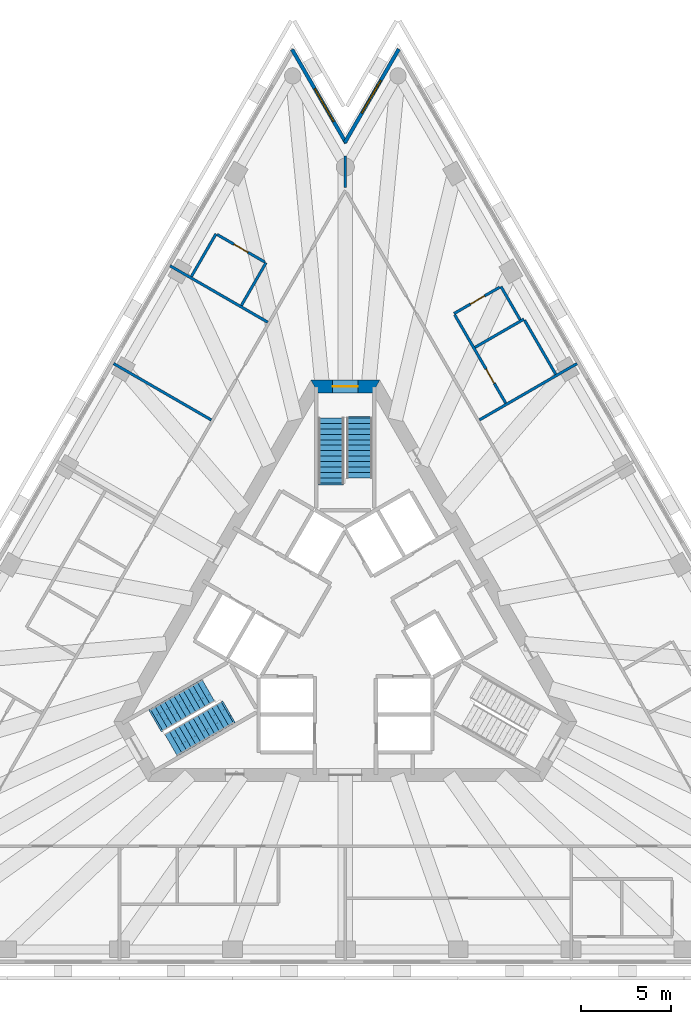
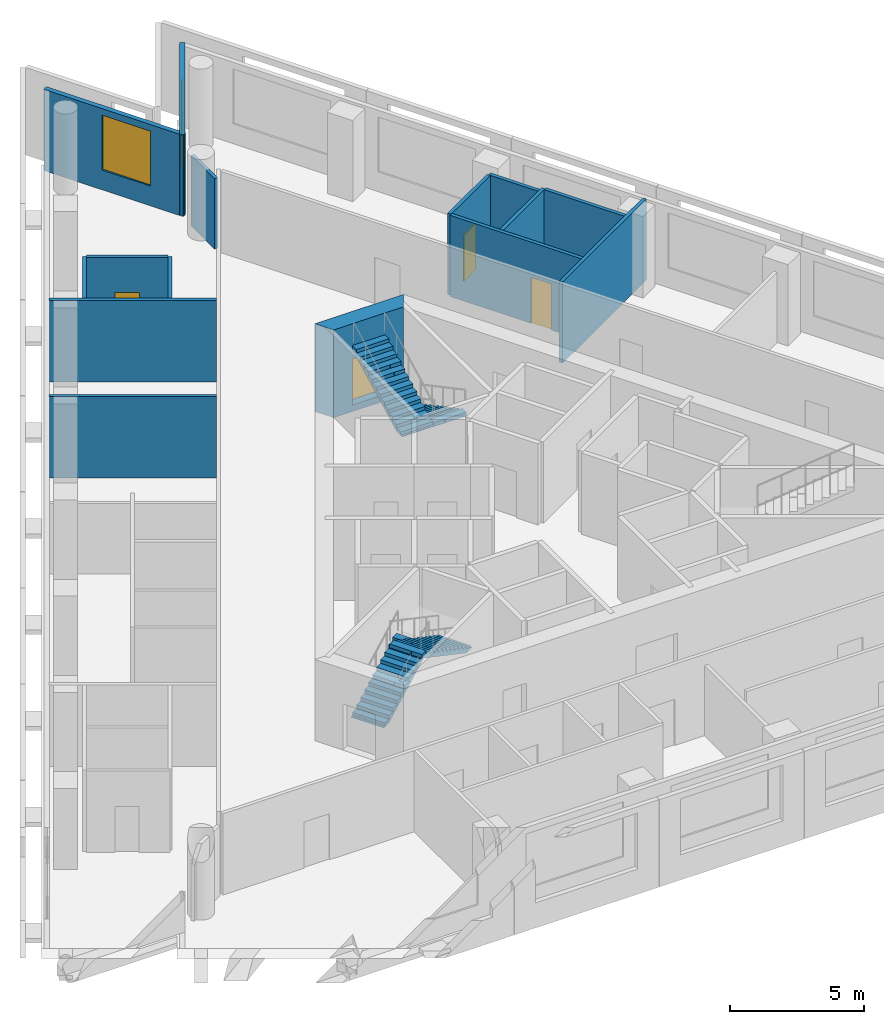
# One storey, part 7 of 10: 15 walls, 4 doors, 4 stair flights, 2 windows, 6 openings, 2 elements without a shape of their own.
"""IFC4 building model written with IfcOpenShell, lengths in metres."""

from ifc_helpers import new_model, si_unit, direction, frame, frame_2d, origin, place, context, subcontext, project, spatial, polyline, rectangle, outline, extrude, material, layer, layer_set, layer_usage, type_object, element, fill, aggregate, save


model = new_model("IFC4")

# Units and contexts
model_context = context("Model", 3, precision=1e-05, world=origin(), true_north=direction((0.0, 1.0)))
body_context = subcontext(model_context, "Body", "Model", "MODEL_VIEW")
ifc_project = project(units=[si_unit("LENGTHUNIT", "METRE"), si_unit("AREAUNIT", "SQUARE_METRE"), si_unit("VOLUMEUNIT", "CUBIC_METRE"), si_unit("PLANEANGLEUNIT", "RADIAN"), si_unit("MASSUNIT", "GRAM", prefix="KILO")], contexts=[model_context])

# Site, building, storey
site_placement = place(None, origin())
site = spatial("IfcSite", under=ifc_project, at=site_placement, CompositionType="ELEMENT")
building_placement = place(site_placement, origin())
building = spatial("IfcBuilding", under=site, at=building_placement, Name="Triada Interchange Tower", CompositionType="ELEMENT")
storey_placement = place(building_placement, frame((0.0, 0.0, 199.300048828125)))
storey = spatial("IfcBuildingStorey", under=building, at=storey_placement, Name="L46", CompositionType="ELEMENT", Elevation=199.300048828125)

# Wall, opening, door
ifc_material_1 = material(Name="Concrete C50/60", Category="concrete")
ifc_layer_1 = layer(ifc_material_1, 0.699951171875)
ifc_layer_set_1 = layer_set([ifc_layer_1], Name="Core wall C 700")
wall_type_1 = type_object("IfcWallType", Name="Core wall C 700", PredefinedType="SHEAR", material=ifc_layer_set_1)
wall_1_placement = place(storey_placement, frame((1.702880859375, 13.35009765625, -0.300048828125), z_axis=(0.0, 0.0, 1.0), x_axis=(-1.0, 0.0, 0.0)))
wall_1 = element("IfcWall", 1, at=wall_1_placement, inside=storey, type_object=wall_type_1, Name="Core wall WC01 L46", PredefinedType="SHEAR", context=body_context, shape_type="SweptSolid", body=[
    extrude(outline(polyline([(-0.201904296875, -0.35009765625), (1.703125, -0.35009765625), (3.60791015625, -0.35009765625), (3.2041015625, 0.35009765625), (1.703125, 0.35009765625), (0.201904296875, 0.35009765625), (-0.201904296875, -0.35009765625)])), origin(), (0.0, 0.0, 1.0), 4.0),
])
opening_1_placement = place(wall_1_placement, frame((1.0029296875, 0.0, 0.300048828125)))
opening_1 = element("IfcOpeningElement", 2, at=opening_1_placement, cuts=wall_1, Name="Opening D44-40", PredefinedType="OPENING", context=body_context, shape_type="SweptSolid", body=[
    extrude(rectangle(XDim=1.39990234375, YDim=2.10009765625, at=frame_2d((0.699951171875, 1.050048828125))), frame((0.0, 0.360107421875, 0.0), z_axis=(0.0, -1.0, 0.0), x_axis=(1.0, 0.0, 0.0)), (0.0, 0.0, 1.0), 0.72021484375),
])
ifc_material_2 = material(Name="Steel S235 door leaf", Category="steel")
door_type_1 = type_object("IfcDoorType", Name="STAIR DOOR 1400 EI2 90-C5S200", OperationType="DOUBLE_DOOR_SINGLE_SWING", PredefinedType="DOOR", material=ifc_material_2)
door_1_placement = place(opening_1_placement, origin())
door_1 = element("IfcDoor", 3, at=door_1_placement, inside=storey, type_object=door_type_1, Name="Door D44-40 L46", OperationType="DOUBLE_DOOR_SINGLE_SWING", OverallHeight=2.10009765625, OverallWidth=1.39990234375, PredefinedType="DOOR", context=body_context, shape_type="SweptSolid", body=[
    extrude(rectangle(XDim=1.39990234375, YDim=2.10009765625, at=frame_2d((0.699951171875, 1.050048828125))), frame((0.0, 0.02490234375, 0.0), z_axis=(0.0, -1.0, 0.0), x_axis=(1.0, 0.0, 0.0)), (0.0, 0.0, 1.0), 0.050048828125),
])
fill(opening_1, door_1)

# Wall, opening, window
ifc_material_3 = material(Name="Cement board")
ifc_layer_2 = layer(ifc_material_3, 0.02001953125, Name="Cement board cladding")
ifc_material_4 = material(Name="Sheathing board")
ifc_layer_3 = layer(ifc_material_4, 0.014892578125, Name="Sheathing board")
ifc_material_5 = material(Name="Mineral wool")
ifc_layer_4 = layer(ifc_material_5, 0.14990234375, Name="Mineral wool between steel studs")
ifc_material_6 = material(Name="Gypsum board")
ifc_layer_5 = layer(ifc_material_6, 0.014892578125, Name="Plasterboard lining")
ifc_layer_set_2 = layer_set([ifc_layer_2, ifc_layer_3, ifc_layer_4, ifc_layer_5], Name="External wall 200")
ifc_layer_usage = layer_usage(ifc_layer_set_2, "AXIS2", "POSITIVE", -0.10009765625)
wall_type_2 = type_object("IfcWallType", Name="External wall 200", PredefinedType="ELEMENTEDWALL", material=ifc_layer_set_2)
wall_2_placement = place(storey_placement, frame((2.958984375, 32.02001953125, 0.0), z_axis=(0.0, 0.0, 1.0), x_axis=(-0.499967146315, -0.866044371037, 0.0)))
wall_2 = element("IfcWall", 4, at=wall_2_placement, inside=storey, type_object=wall_type_2, material=ifc_layer_usage, Name="External wall L46 N-1", PredefinedType="ELEMENTEDWALL", context=body_context, shape_type="SweptSolid", body=[
    extrude(rectangle(XDim=5.98828125, YDim=0.199951171875, at=frame_2d((2.994140625, 0.0))), origin(), (0.0, 0.0, 1.0), 3.699951171875),
])
opening_2_placement = place(wall_2_placement, frame((1.989990234375, 0.0, 0.89990234375)))
opening_2 = element("IfcOpeningElement", 5, at=opening_2_placement, cuts=wall_2, Name="Opening WC29", PredefinedType="OPENING", context=body_context, shape_type="SweptSolid", body=[
    extrude(rectangle(XDim=2.10009765625, YDim=2.5, at=frame_2d((1.050048828125, 1.25))), frame((0.0, 0.10986328125, 0.0), z_axis=(0.0, -1.0, 0.0), x_axis=(1.0, 0.0, 0.0)), (0.0, 0.0, 1.0), 0.219970703125),
])
ifc_material_7 = material(Name="Double glazed aluminium window", Category="aluminium")
window_type = type_object("IfcWindowType", Name="Ribbon window C pocket", PartitioningType="SINGLE_PANEL", PredefinedType="WINDOW", material=ifc_material_7)
window_1_placement = place(opening_2_placement, origin())
window_1 = element("IfcWindow", 6, at=window_1_placement, inside=storey, type_object=window_type, Name="Window L46 N-1 1", OverallHeight=2.5, OverallWidth=2.10009765625, PartitioningType="SINGLE_PANEL", PredefinedType="WINDOW", context=body_context, shape_type="SweptSolid", body=[
    extrude(rectangle(XDim=2.10009765625, YDim=2.5, at=frame_2d((1.050048828125, 1.25))), frame((0.0, 0.030029296875, 0.0), z_axis=(0.0, -1.0, 0.0), x_axis=(1.0, 0.0, 0.0)), (0.0, 0.0, 1.0), 0.06005859375),
])
fill(opening_2, window_1)

wall_3_placement = place(storey_placement, frame((0.044921875, 26.81689453125, 0.0), z_axis=(0.0, 0.0, 1.0), x_axis=(-0.499967146315, 0.866044371037, 0.0)))
wall_3 = element("IfcWall", 7, at=wall_3_placement, inside=storey, type_object=wall_type_2, material=ifc_layer_usage, Name="External wall L46 N-2", PredefinedType="ELEMENTEDWALL", context=body_context, shape_type="SweptSolid", body=[
    extrude(rectangle(XDim=5.98828125, YDim=0.199951171875, at=frame_2d((2.994140625, 0.0))), origin(), (0.0, 0.0, 1.0), 3.699951171875),
])
opening_3_placement = place(wall_3_placement, frame((1.389892578125, 0.0, 0.89990234375)))
opening_3 = element("IfcOpeningElement", 8, at=opening_3_placement, cuts=wall_3, Name="Opening WC30", PredefinedType="OPENING", context=body_context, shape_type="SweptSolid", body=[
    extrude(rectangle(XDim=2.10009765625, YDim=2.5, at=frame_2d((1.050048828125, 1.25))), frame((0.0, 0.10986328125, 0.0), z_axis=(0.0, -1.0, 0.0), x_axis=(1.0, 0.0, 0.0)), (0.0, 0.0, 1.0), 0.219970703125),
])
window_2_placement = place(opening_3_placement, origin())
window_2 = element("IfcWindow", 9, at=window_2_placement, inside=storey, type_object=window_type, Name="Window L46 N-2 1", OverallHeight=2.5, OverallWidth=2.10009765625, PartitioningType="SINGLE_PANEL", PredefinedType="WINDOW", context=body_context, shape_type="SweptSolid", body=[
    extrude(rectangle(XDim=2.10009765625, YDim=2.5, at=frame_2d((1.050048828125, 1.25))), frame((0.0, 0.030029296875, 0.0), z_axis=(0.0, -1.0, 0.0), x_axis=(1.0, 0.0, 0.0)), (0.0, 0.0, 1.0), 0.06005859375),
])
fill(opening_3, window_2)

# Walls
ifc_material_8 = material(Name="Gypsum board partition")
ifc_layer_6 = layer(ifc_material_8, 0.14990234375)
ifc_layer_set_3 = layer_set([ifc_layer_6], Name="PARTITION 150 EI 180")
wall_type_3 = type_object("IfcWallType", Name="PARTITION 150 EI 180", PredefinedType="PARTITIONING", material=ifc_layer_set_3)
for number, where, z_axis, x_axis, name in (
    (10, (-12.822998046875, 14.618896484375, 0.0), (0.0, 0.0, 1.0), (0.866036385336, -0.499980978912, 0.0), "Wall L44 12"),
    (11, (-9.698974609375, 20.030029296875, 0.0), (0.0, 0.0, 1.0), (0.86601944389, -0.500010322698, 0.0), "Wall L44 15"),
):
    element("IfcWall", number, at=place(storey_placement, frame(where, z_axis=z_axis, x_axis=x_axis)), inside=storey, type_object=wall_type_3, Name=name, PredefinedType="PARTITIONING", context=body_context, shape_type="SweptSolid", body=[
        extrude(rectangle(XDim=6.239990234375, YDim=0.14990234375, at=frame_2d((3.1201171875, 0.0))), origin(), (0.0, 0.0, 1.0), 3.699951171875),
    ])
wall_4_placement = place(storey_placement, frame((0.0, 24.35009765625, 0.0), z_axis=(0.0, 0.0, 1.0), x_axis=(0.0, 1.0, 0.0)))
element("IfcWall", 12, at=wall_4_placement, inside=storey, type_object=wall_type_3, Name="Wall L44 20", PredefinedType="PARTITIONING", context=body_context, shape_type="SweptSolid", body=[
    extrude(rectangle(XDim=1.764892578125, YDim=0.14990234375, at=frame_2d((0.88232421875, 0.0))), origin(), (0.0, 0.0, 1.0), 3.199951171875),
])
wall_5_placement = place(storey_placement, frame((7.4189453125, 11.4990234375, 0.0), z_axis=(0.0, 0.0, 1.0), x_axis=(0.866036385336, 0.499980978912, 0.0)))
element("IfcWall", 13, at=wall_5_placement, inside=storey, type_object=wall_type_3, Name="Wall L44 22", PredefinedType="PARTITIONING", context=body_context, shape_type="SweptSolid", body=[
    extrude(rectangle(XDim=6.239990234375, YDim=0.14990234375, at=frame_2d((3.1201171875, 0.0))), origin(), (0.0, 0.0, 1.0), 3.699951171875),
])
ifc_layer_7 = layer(ifc_material_8, 0.14990234375)
ifc_layer_set_4 = layer_set([ifc_layer_7], Name="PARTITION 150 EI 90")
wall_type_4 = type_object("IfcWallType", Name="PARTITION 150 EI 90", PredefinedType="PARTITIONING", material=ifc_layer_set_4)
for number, where, z_axis, x_axis, name in (
    (14, (-8.52099609375, 19.43603515625, 0.0), (0.0, 0.0, 1.0), (0.500156697144, 0.865934915743, 0.0), "Wall L44 28"),
    (15, (-5.751953125, 17.837890625, 0.0), (0.0, 0.0, 1.0), (0.500117899823, 0.865957323588, 0.0), "Wall L44 31"),
):
    element("IfcWall", number, at=place(storey_placement, frame(where, z_axis=z_axis, x_axis=x_axis)), inside=storey, type_object=wall_type_4, Name=name, PredefinedType="PARTITIONING", context=body_context, shape_type="SweptSolid", body=[
        extrude(rectangle(XDim=2.725341796875, YDim=0.14990234375, at=frame_2d((1.36279296875, 0.0))), origin(), (0.0, 0.0, 1.0), 3.699951171875),
    ])

# Wall, opening, door
wall_6_placement = place(storey_placement, frame((-7.093017578125, 21.759033203125, 0.0), z_axis=(0.0, 0.0, 1.0), x_axis=(0.865976105257, -0.500085377835, 0.0)))
wall_6 = element("IfcWall", 16, at=wall_6_placement, inside=storey, type_object=wall_type_4, Name="Wall L44 33", PredefinedType="PARTITIONING", context=body_context, shape_type="SweptSolid", body=[
    extrude(rectangle(XDim=3.04736328125, YDim=0.14990234375, at=frame_2d((1.523681640625, 0.0))), origin(), (0.0, 0.0, 1.0), 3.699951171875),
])
opening_4_placement = place(wall_6_placement, frame((1.074951171875, 0.0, 0.0)))
opening_4 = element("IfcOpeningElement", 17, at=opening_4_placement, cuts=wall_6, Name="Opening D44-29", PredefinedType="OPENING", context=body_context, shape_type="SweptSolid", body=[
    extrude(rectangle(XDim=0.89990234375, YDim=2.10009765625, at=frame_2d((0.449951171875, 1.050048828125))), frame((0.0, 0.0849609375, 0.0), z_axis=(0.0, -1.0, 0.0), x_axis=(1.0, 0.0, 0.0)), (0.0, 0.0, 1.0), 0.169921875),
])
door_type_2 = type_object("IfcDoorType", Name="ROOM DOOR 900 EI2 45-C5S200", OperationType="NOTDEFINED", PredefinedType="DOOR", material=ifc_material_2)
door_2_placement = place(opening_4_placement, origin())
door_2 = element("IfcDoor", 18, at=door_2_placement, inside=storey, type_object=door_type_2, Name="Door D44-29 L46", OperationType="SINGLE_SWING_RIGHT", OverallHeight=2.10009765625, OverallWidth=0.89990234375, PredefinedType="DOOR", context=body_context, shape_type="SweptSolid", body=[
    extrude(rectangle(XDim=0.89990234375, YDim=2.10009765625, at=frame_2d((0.449951171875, 1.050048828125))), frame((0.0, 0.02490234375, 0.0), z_axis=(0.0, -1.0, 0.0), x_axis=(1.0, 0.0, 0.0)), (0.0, 0.0, 1.0), 0.050048828125),
])
fill(opening_4, door_2)

# Walls
wall_7_placement = place(storey_placement, frame((7.177978515625, 15.51708984375, 0.0), z_axis=(0.0, 0.0, 1.0), x_axis=(0.866084027935, 0.499898446243, 0.0)))
element("IfcWall", 19, at=wall_7_placement, inside=storey, type_object=wall_type_4, Name="Wall L44 35", PredefinedType="PARTITIONING", context=body_context, shape_type="SweptSolid", body=[
    extrude(rectangle(XDim=3.122314453125, YDim=0.14990234375, at=frame_2d((1.56103515625, 0.0))), origin(), (0.0, 0.0, 1.0), 3.699951171875),
])
wall_8_placement = place(storey_placement, frame((8.611083984375, 18.885009765625, 0.0), z_axis=(0.0, 0.0, 1.0), x_axis=(0.500017365573, -0.866015377534, 0.0)))
element("IfcWall", 20, at=wall_8_placement, inside=storey, type_object=wall_type_4, Name="Wall L44 36", PredefinedType="PARTITIONING", context=body_context, shape_type="SweptSolid", body=[
    extrude(rectangle(XDim=2.1259765625, YDim=0.14990234375, at=frame_2d((1.06298828125, 0.0))), origin(), (0.0, 0.0, 1.0), 3.699951171875),
])

# Wall, opening, door
wall_9_placement = place(storey_placement, frame((6.012939453125, 17.385009765625, 0.0), z_axis=(0.0, 0.0, 1.0), x_axis=(0.866098016745, 0.499874209568, 0.0)))
wall_9 = element("IfcWall", 21, at=wall_9_placement, inside=storey, type_object=wall_type_4, Name="Wall L44 37", PredefinedType="PARTITIONING", context=body_context, shape_type="SweptSolid", body=[
    extrude(rectangle(XDim=2.924560546875, YDim=0.14990234375, at=frame_2d((1.46240234375, 0.0))), origin(), (0.0, 0.0, 1.0), 3.699951171875),
])
opening_5_placement = place(wall_9_placement, frame((1.050048828125, 0.0, 0.0)))
opening_5 = element("IfcOpeningElement", 22, at=opening_5_placement, cuts=wall_9, Name="Opening D44-27", PredefinedType="OPENING", context=body_context, shape_type="SweptSolid", body=[
    extrude(rectangle(XDim=0.89990234375, YDim=2.10009765625, at=frame_2d((0.449951171875, 1.050048828125))), frame((0.0, 0.0849609375, 0.0), z_axis=(0.0, -1.0, 0.0), x_axis=(1.0, 0.0, 0.0)), (0.0, 0.0, 1.0), 0.169921875),
])
door_type_3 = type_object("IfcDoorType", Name="SERVICE DOOR 900 EI2 45-C5S200", OperationType="NOTDEFINED", PredefinedType="DOOR", material=ifc_material_2)
door_3_placement = place(opening_5_placement, origin())
door_3 = element("IfcDoor", 23, at=door_3_placement, inside=storey, type_object=door_type_3, Name="Door D44-27 L46", OperationType="SINGLE_SWING_LEFT", OverallHeight=2.10009765625, OverallWidth=0.89990234375, PredefinedType="DOOR", context=body_context, shape_type="SweptSolid", body=[
    extrude(rectangle(XDim=0.89990234375, YDim=2.10009765625, at=frame_2d((0.449951171875, 1.050048828125))), frame((0.0, 0.02490234375, 0.0), z_axis=(0.0, -1.0, 0.0), x_axis=(1.0, 0.0, 0.0)), (0.0, 0.0, 1.0), 0.050048828125),
])
fill(opening_5, door_3)

wall_10_placement = place(storey_placement, frame((6.051025390625, 17.320068359375, 0.0), z_axis=(0.0, 0.0, 1.0), x_axis=(0.499991765245, -0.86603015807, 0.0)))
wall_10 = element("IfcWall", 24, at=wall_10_placement, inside=storey, type_object=wall_type_4, Name="Wall L44 38", PredefinedType="PARTITIONING", context=body_context, shape_type="SweptSolid", body=[
    extrude(rectangle(XDim=5.64990234375, YDim=0.14990234375, at=frame_2d((2.824951171875, 0.0))), origin(), (0.0, 0.0, 1.0), 3.699951171875),
])
opening_6_placement = place(wall_10_placement, frame((3.47509765625, 0.0, 0.0)))
opening_6 = element("IfcOpeningElement", 25, at=opening_6_placement, cuts=wall_10, Name="Opening D44-26", PredefinedType="OPENING", context=body_context, shape_type="SweptSolid", body=[
    extrude(rectangle(XDim=0.89990234375, YDim=2.10009765625, at=frame_2d((0.449951171875, 1.050048828125))), frame((0.0, 0.0849609375, 0.0), z_axis=(0.0, -1.0, 0.0), x_axis=(1.0, 0.0, 0.0)), (0.0, 0.0, 1.0), 0.169921875),
])
door_4_placement = place(opening_6_placement, origin())
door_4 = element("IfcDoor", 26, at=door_4_placement, inside=storey, type_object=door_type_2, Name="Door D44-26 L46", OperationType="SINGLE_SWING_RIGHT", OverallHeight=2.10009765625, OverallWidth=0.89990234375, PredefinedType="DOOR", context=body_context, shape_type="SweptSolid", body=[
    extrude(rectangle(XDim=0.89990234375, YDim=2.10009765625, at=frame_2d((0.449951171875, 1.050048828125))), frame((0.0, 0.02490234375, 0.0), z_axis=(0.0, -1.0, 0.0), x_axis=(1.0, 0.0, 0.0)), (0.0, 0.0, 1.0), 0.050048828125),
])
fill(opening_6, door_4)

# Wall
wall_11_placement = place(storey_placement, frame((9.919921875, 17.012939453125, 0.0), z_axis=(0.0, 0.0, 1.0), x_axis=(0.49998991961, -0.866031223622, 0.0)))
element("IfcWall", 27, at=wall_11_placement, inside=storey, type_object=wall_type_4, Name="Wall L44 39", PredefinedType="PARTITIONING", context=body_context, shape_type="SweptSolid", body=[
    extrude(rectangle(XDim=3.4501953125, YDim=0.14990234375, at=frame_2d((1.72509765625, 0.0))), origin(), (0.0, 0.0, 1.0), 3.699951171875),
])

# Stair, stair flights
ifc_material_9 = material(Name="Concrete C35/45", Category="concrete")
stair_type = type_object("IfcStairType", Name="HALF TURN STAIR 1400", PredefinedType="HALF_TURN_STAIR", material=ifc_material_9)
stair_1_placement = place(storey_placement, origin())
stair_1 = element("IfcStair", 28, at=stair_1_placement, inside=storey, type_object=stair_type, Name="Exit stair S44-1", PredefinedType="HALF_TURN_STAIR")
stair_flight_type = type_object("IfcStairFlightType", Name="STRAIGHT STAIR FLIGHT 1400", PredefinedType="STRAIGHT", material=ifc_material_9)
stair_flight_1_placement = place(storey_placement, frame((0.800048828125, 11.60009765625, 0.0), z_axis=(0.0, 0.0, 1.0), x_axis=(0.0, -1.0, 0.0)))
stair_flight_1 = element("IfcStairFlight", 29, at=stair_flight_1_placement, type_object=stair_flight_type, Name="S44-1 flight 1", NumberOfRisers=12, NumberOfTreads=11, PredefinedType="STRAIGHT", RiserHeight=0.16, TreadLength=0.3, context=body_context, shape_type="SweptSolid", body=[
    extrude(outline(polyline([(-0.10009765625, 0.0), (-0.10009765625, 0.02001953125), (0.0, 0.02001953125), (0.0, 0.159912109375), (0.300048828125, 0.159912109375), (0.300048828125, 0.320068359375), (0.60009765625, 0.320068359375), (0.60009765625, 0.47998046875), (0.89990234375, 0.47998046875), (0.89990234375, 0.639892578125), (1.199951171875, 0.639892578125), (1.199951171875, 0.800048828125), (1.5, 0.800048828125), (1.5, 0.9599609375), (1.800048828125, 0.9599609375), (1.800048828125, 1.1201171875), (2.10009765625, 1.1201171875), (2.10009765625, 1.280029296875), (2.39990234375, 1.280029296875), (2.39990234375, 1.43994140625), (2.699951171875, 1.43994140625), (2.699951171875, 1.60009765625), (3.0, 1.60009765625), (3.0, 1.760009765625), (3.300048828125, 1.760009765625), (3.303955078125, 1.760009765625), (3.303955078125, 1.919921875), (3.303955078125, 1.590087890625), (0.318603515625, 0.0), (-0.10009765625, 0.0)])), frame((0.0, 0.699951171875, 0.0), z_axis=(0.0, -1.0, 0.0), x_axis=(1.0, 0.0, 0.0)), (0.0, 0.0, 1.0), 0.46533203125),
    extrude(outline(polyline([(-0.10009765625, 0.0), (-0.10009765625, 0.02001953125), (0.0, 0.02001953125), (0.0, 0.159912109375), (0.300048828125, 0.159912109375), (0.300048828125, 0.320068359375), (0.60009765625, 0.320068359375), (0.60009765625, 0.47998046875), (0.89990234375, 0.47998046875), (0.89990234375, 0.639892578125), (1.199951171875, 0.639892578125), (1.199951171875, 0.800048828125), (1.5, 0.800048828125), (1.5, 0.9599609375), (1.800048828125, 0.9599609375), (1.800048828125, 1.1201171875), (2.10009765625, 1.1201171875), (2.10009765625, 1.280029296875), (2.39990234375, 1.280029296875), (2.39990234375, 1.43994140625), (2.699951171875, 1.43994140625), (2.699951171875, 1.60009765625), (3.0, 1.60009765625), (3.0, 1.760009765625), (3.300048828125, 1.760009765625), (3.303955078125, 1.760009765625), (3.303955078125, 1.919921875), (3.303955078125, 1.590087890625), (0.318603515625, 0.0), (-0.10009765625, 0.0)])), frame((0.0, 0.232666015625, 0.0), z_axis=(0.0, -1.0, 0.0), x_axis=(1.0, 0.0, 0.0)), (0.0, 0.0, 1.0), 0.46533203125),
    extrude(outline(polyline([(-0.10009765625, 0.0), (-0.10009765625, 0.02001953125), (0.0, 0.02001953125), (0.0, 0.159912109375), (0.300048828125, 0.159912109375), (0.300048828125, 0.320068359375), (0.60009765625, 0.320068359375), (0.60009765625, 0.47998046875), (0.89990234375, 0.47998046875), (0.89990234375, 0.639892578125), (1.199951171875, 0.639892578125), (1.199951171875, 0.800048828125), (1.5, 0.800048828125), (1.5, 0.9599609375), (1.800048828125, 0.9599609375), (1.800048828125, 1.1201171875), (2.10009765625, 1.1201171875), (2.10009765625, 1.280029296875), (2.39990234375, 1.280029296875), (2.39990234375, 1.43994140625), (2.699951171875, 1.43994140625), (2.699951171875, 1.60009765625), (3.0, 1.60009765625), (3.0, 1.760009765625), (3.300048828125, 1.760009765625), (3.303955078125, 1.760009765625), (3.303955078125, 1.919921875), (3.303955078125, 1.590087890625), (0.318603515625, 0.0), (-0.10009765625, 0.0)])), frame((0.0, -0.234619140625, 0.0), z_axis=(0.0, -1.0, 0.0), x_axis=(1.0, 0.0, 0.0)), (0.0, 0.0, 1.0), 0.46533203125),
])
stair_flight_2_placement = place(storey_placement, frame((-0.800048828125, 8.0, 1.919921875), z_axis=(0.0, 0.0, 1.0), x_axis=(0.0, 1.0, 0.0)))
stair_flight_2 = element("IfcStairFlight", 30, at=stair_flight_2_placement, type_object=stair_flight_type, Name="S44-1 flight 2", NumberOfRisers=13, NumberOfTreads=12, PredefinedType="STRAIGHT", RiserHeight=0.16, TreadLength=0.3, context=body_context, shape_type="SweptSolid", body=[
    extrude(outline(polyline([(-0.10009765625, 0.0), (-0.10009765625, 0.02001953125), (0.0, 0.02001953125), (0.0, 0.159912109375), (0.300048828125, 0.159912109375), (0.300048828125, 0.320068359375), (0.60009765625, 0.320068359375), (0.60009765625, 0.47998046875), (0.89990234375, 0.47998046875), (0.89990234375, 0.639892578125), (1.199951171875, 0.639892578125), (1.199951171875, 0.800048828125), (1.5, 0.800048828125), (1.5, 0.9599609375), (1.800048828125, 0.9599609375), (1.800048828125, 1.1201171875), (2.10009765625, 1.1201171875), (2.10009765625, 1.280029296875), (2.39990234375, 1.280029296875), (2.39990234375, 1.43994140625), (2.699951171875, 1.43994140625), (2.699951171875, 1.60009765625), (3.0, 1.60009765625), (3.0, 1.760009765625), (3.300048828125, 1.760009765625), (3.300048828125, 1.919921875), (3.60009765625, 1.919921875), (3.60400390625, 1.919921875), (3.60400390625, 2.080078125), (3.60400390625, 1.75), (0.318603515625, 0.0), (-0.10009765625, 0.0)])), frame((0.0, 0.699951171875, 0.0), z_axis=(0.0, -1.0, 0.0), x_axis=(1.0, 0.0, 0.0)), (0.0, 0.0, 1.0), 0.46533203125),
    extrude(outline(polyline([(-0.10009765625, 0.0), (-0.10009765625, 0.02001953125), (0.0, 0.02001953125), (0.0, 0.159912109375), (0.300048828125, 0.159912109375), (0.300048828125, 0.320068359375), (0.60009765625, 0.320068359375), (0.60009765625, 0.47998046875), (0.89990234375, 0.47998046875), (0.89990234375, 0.639892578125), (1.199951171875, 0.639892578125), (1.199951171875, 0.800048828125), (1.5, 0.800048828125), (1.5, 0.9599609375), (1.800048828125, 0.9599609375), (1.800048828125, 1.1201171875), (2.10009765625, 1.1201171875), (2.10009765625, 1.280029296875), (2.39990234375, 1.280029296875), (2.39990234375, 1.43994140625), (2.699951171875, 1.43994140625), (2.699951171875, 1.60009765625), (3.0, 1.60009765625), (3.0, 1.760009765625), (3.300048828125, 1.760009765625), (3.300048828125, 1.919921875), (3.60009765625, 1.919921875), (3.60400390625, 1.919921875), (3.60400390625, 2.080078125), (3.60400390625, 1.75), (0.318603515625, 0.0), (-0.10009765625, 0.0)])), frame((0.0, 0.232666015625, 0.0), z_axis=(0.0, -1.0, 0.0), x_axis=(1.0, 0.0, 0.0)), (0.0, 0.0, 1.0), 0.46533203125),
    extrude(outline(polyline([(-0.10009765625, 0.0), (-0.10009765625, 0.02001953125), (0.0, 0.02001953125), (0.0, 0.159912109375), (0.300048828125, 0.159912109375), (0.300048828125, 0.320068359375), (0.60009765625, 0.320068359375), (0.60009765625, 0.47998046875), (0.89990234375, 0.47998046875), (0.89990234375, 0.639892578125), (1.199951171875, 0.639892578125), (1.199951171875, 0.800048828125), (1.5, 0.800048828125), (1.5, 0.9599609375), (1.800048828125, 0.9599609375), (1.800048828125, 1.1201171875), (2.10009765625, 1.1201171875), (2.10009765625, 1.280029296875), (2.39990234375, 1.280029296875), (2.39990234375, 1.43994140625), (2.699951171875, 1.43994140625), (2.699951171875, 1.60009765625), (3.0, 1.60009765625), (3.0, 1.760009765625), (3.300048828125, 1.760009765625), (3.300048828125, 1.919921875), (3.60009765625, 1.919921875), (3.60400390625, 1.919921875), (3.60400390625, 2.080078125), (3.60400390625, 1.75), (0.318603515625, 0.0), (-0.10009765625, 0.0)])), frame((0.0, -0.234619140625, 0.0), z_axis=(0.0, -1.0, 0.0), x_axis=(1.0, 0.0, 0.0)), (0.0, 0.0, 1.0), 0.46533203125),
])
aggregate(stair_1, [stair_flight_1, stair_flight_2])

stair_2_placement = place(storey_placement, origin())
stair_2 = element("IfcStair", 31, at=stair_2_placement, inside=storey, type_object=stair_type, Name="Exit stair S44-2", PredefinedType="HALF_TURN_STAIR")
stair_flight_3_placement = place(storey_placement, frame((-10.446044921875, -5.10693359375, 0.0), z_axis=(0.0, 0.0, 1.0), x_axis=(0.866025403784, 0.5, 0.0)))
stair_flight_3 = element("IfcStairFlight", 32, at=stair_flight_3_placement, type_object=stair_flight_type, Name="S44-2 flight 1", NumberOfRisers=12, NumberOfTreads=11, PredefinedType="STRAIGHT", RiserHeight=0.16, TreadLength=0.3, context=body_context, shape_type="SweptSolid", body=[
    extrude(outline(polyline([(-0.10009765625, 0.0), (-0.10009765625, 0.02001953125), (0.0, 0.02001953125), (0.0, 0.159912109375), (0.300048828125, 0.159912109375), (0.300048828125, 0.320068359375), (0.60009765625, 0.320068359375), (0.60009765625, 0.47998046875), (0.89990234375, 0.47998046875), (0.89990234375, 0.639892578125), (1.199951171875, 0.639892578125), (1.199951171875, 0.800048828125), (1.5, 0.800048828125), (1.5, 0.9599609375), (1.800048828125, 0.9599609375), (1.800048828125, 1.1201171875), (2.10009765625, 1.1201171875), (2.10009765625, 1.280029296875), (2.39990234375, 1.280029296875), (2.39990234375, 1.43994140625), (2.699951171875, 1.43994140625), (2.699951171875, 1.60009765625), (3.0, 1.60009765625), (3.0, 1.760009765625), (3.300048828125, 1.760009765625), (3.303955078125, 1.760009765625), (3.303955078125, 1.919921875), (3.303955078125, 1.590087890625), (0.318603515625, 0.0), (-0.10009765625, 0.0)])), frame((0.0, 0.699951171875, 0.0), z_axis=(0.0, -1.0, 0.0), x_axis=(1.0, 0.0, 0.0)), (0.0, 0.0, 1.0), 0.46533203125),
    extrude(outline(polyline([(-0.10009765625, 0.0), (-0.10009765625, 0.02001953125), (0.0, 0.02001953125), (0.0, 0.159912109375), (0.300048828125, 0.159912109375), (0.300048828125, 0.320068359375), (0.60009765625, 0.320068359375), (0.60009765625, 0.47998046875), (0.89990234375, 0.47998046875), (0.89990234375, 0.639892578125), (1.199951171875, 0.639892578125), (1.199951171875, 0.800048828125), (1.5, 0.800048828125), (1.5, 0.9599609375), (1.800048828125, 0.9599609375), (1.800048828125, 1.1201171875), (2.10009765625, 1.1201171875), (2.10009765625, 1.280029296875), (2.39990234375, 1.280029296875), (2.39990234375, 1.43994140625), (2.699951171875, 1.43994140625), (2.699951171875, 1.60009765625), (3.0, 1.60009765625), (3.0, 1.760009765625), (3.300048828125, 1.760009765625), (3.303955078125, 1.760009765625), (3.303955078125, 1.919921875), (3.303955078125, 1.590087890625), (0.318603515625, 0.0), (-0.10009765625, 0.0)])), frame((0.0, 0.232666015625, 0.0), z_axis=(0.0, -1.0, 0.0), x_axis=(1.0, 0.0, 0.0)), (0.0, 0.0, 1.0), 0.46533203125),
    extrude(outline(polyline([(-0.10009765625, 0.0), (-0.10009765625, 0.02001953125), (0.0, 0.02001953125), (0.0, 0.159912109375), (0.300048828125, 0.159912109375), (0.300048828125, 0.320068359375), (0.60009765625, 0.320068359375), (0.60009765625, 0.47998046875), (0.89990234375, 0.47998046875), (0.89990234375, 0.639892578125), (1.199951171875, 0.639892578125), (1.199951171875, 0.800048828125), (1.5, 0.800048828125), (1.5, 0.9599609375), (1.800048828125, 0.9599609375), (1.800048828125, 1.1201171875), (2.10009765625, 1.1201171875), (2.10009765625, 1.280029296875), (2.39990234375, 1.280029296875), (2.39990234375, 1.43994140625), (2.699951171875, 1.43994140625), (2.699951171875, 1.60009765625), (3.0, 1.60009765625), (3.0, 1.760009765625), (3.300048828125, 1.760009765625), (3.303955078125, 1.760009765625), (3.303955078125, 1.919921875), (3.303955078125, 1.590087890625), (0.318603515625, 0.0), (-0.10009765625, 0.0)])), frame((0.0, -0.234619140625, 0.0), z_axis=(0.0, -1.0, 0.0), x_axis=(1.0, 0.0, 0.0)), (0.0, 0.0, 1.0), 0.46533203125),
])
stair_flight_4_placement = place(storey_placement, frame((-6.528076171875, -4.693115234375, 1.919921875), z_axis=(0.0, 0.0, 1.0), x_axis=(-0.866025403784, -0.5, 0.0)))
stair_flight_4 = element("IfcStairFlight", 33, at=stair_flight_4_placement, type_object=stair_flight_type, Name="S44-2 flight 2", NumberOfRisers=13, NumberOfTreads=12, PredefinedType="STRAIGHT", RiserHeight=0.16, TreadLength=0.3, context=body_context, shape_type="SweptSolid", body=[
    extrude(outline(polyline([(-0.10009765625, 0.0), (-0.10009765625, 0.02001953125), (0.0, 0.02001953125), (0.0, 0.159912109375), (0.300048828125, 0.159912109375), (0.300048828125, 0.320068359375), (0.60009765625, 0.320068359375), (0.60009765625, 0.47998046875), (0.89990234375, 0.47998046875), (0.89990234375, 0.639892578125), (1.199951171875, 0.639892578125), (1.199951171875, 0.800048828125), (1.5, 0.800048828125), (1.5, 0.9599609375), (1.800048828125, 0.9599609375), (1.800048828125, 1.1201171875), (2.10009765625, 1.1201171875), (2.10009765625, 1.280029296875), (2.39990234375, 1.280029296875), (2.39990234375, 1.43994140625), (2.699951171875, 1.43994140625), (2.699951171875, 1.60009765625), (3.0, 1.60009765625), (3.0, 1.760009765625), (3.300048828125, 1.760009765625), (3.300048828125, 1.919921875), (3.60009765625, 1.919921875), (3.60400390625, 1.919921875), (3.60400390625, 2.080078125), (3.60400390625, 1.75), (0.318603515625, 0.0), (-0.10009765625, 0.0)])), frame((0.0, 0.699951171875, 0.0), z_axis=(0.0, -1.0, 0.0), x_axis=(1.0, 0.0, 0.0)), (0.0, 0.0, 1.0), 0.46533203125),
    extrude(outline(polyline([(-0.10009765625, 0.0), (-0.10009765625, 0.02001953125), (0.0, 0.02001953125), (0.0, 0.159912109375), (0.300048828125, 0.159912109375), (0.300048828125, 0.320068359375), (0.60009765625, 0.320068359375), (0.60009765625, 0.47998046875), (0.89990234375, 0.47998046875), (0.89990234375, 0.639892578125), (1.199951171875, 0.639892578125), (1.199951171875, 0.800048828125), (1.5, 0.800048828125), (1.5, 0.9599609375), (1.800048828125, 0.9599609375), (1.800048828125, 1.1201171875), (2.10009765625, 1.1201171875), (2.10009765625, 1.280029296875), (2.39990234375, 1.280029296875), (2.39990234375, 1.43994140625), (2.699951171875, 1.43994140625), (2.699951171875, 1.60009765625), (3.0, 1.60009765625), (3.0, 1.760009765625), (3.300048828125, 1.760009765625), (3.300048828125, 1.919921875), (3.60009765625, 1.919921875), (3.60400390625, 1.919921875), (3.60400390625, 2.080078125), (3.60400390625, 1.75), (0.318603515625, 0.0), (-0.10009765625, 0.0)])), frame((0.0, 0.232666015625, 0.0), z_axis=(0.0, -1.0, 0.0), x_axis=(1.0, 0.0, 0.0)), (0.0, 0.0, 1.0), 0.46533203125),
    extrude(outline(polyline([(-0.10009765625, 0.0), (-0.10009765625, 0.02001953125), (0.0, 0.02001953125), (0.0, 0.159912109375), (0.300048828125, 0.159912109375), (0.300048828125, 0.320068359375), (0.60009765625, 0.320068359375), (0.60009765625, 0.47998046875), (0.89990234375, 0.47998046875), (0.89990234375, 0.639892578125), (1.199951171875, 0.639892578125), (1.199951171875, 0.800048828125), (1.5, 0.800048828125), (1.5, 0.9599609375), (1.800048828125, 0.9599609375), (1.800048828125, 1.1201171875), (2.10009765625, 1.1201171875), (2.10009765625, 1.280029296875), (2.39990234375, 1.280029296875), (2.39990234375, 1.43994140625), (2.699951171875, 1.43994140625), (2.699951171875, 1.60009765625), (3.0, 1.60009765625), (3.0, 1.760009765625), (3.300048828125, 1.760009765625), (3.300048828125, 1.919921875), (3.60009765625, 1.919921875), (3.60400390625, 1.919921875), (3.60400390625, 2.080078125), (3.60400390625, 1.75), (0.318603515625, 0.0), (-0.10009765625, 0.0)])), frame((0.0, -0.234619140625, 0.0), z_axis=(0.0, -1.0, 0.0), x_axis=(1.0, 0.0, 0.0)), (0.0, 0.0, 1.0), 0.46533203125),
])
aggregate(stair_2, [stair_flight_3, stair_flight_4])

save(model, "model.ifc")
